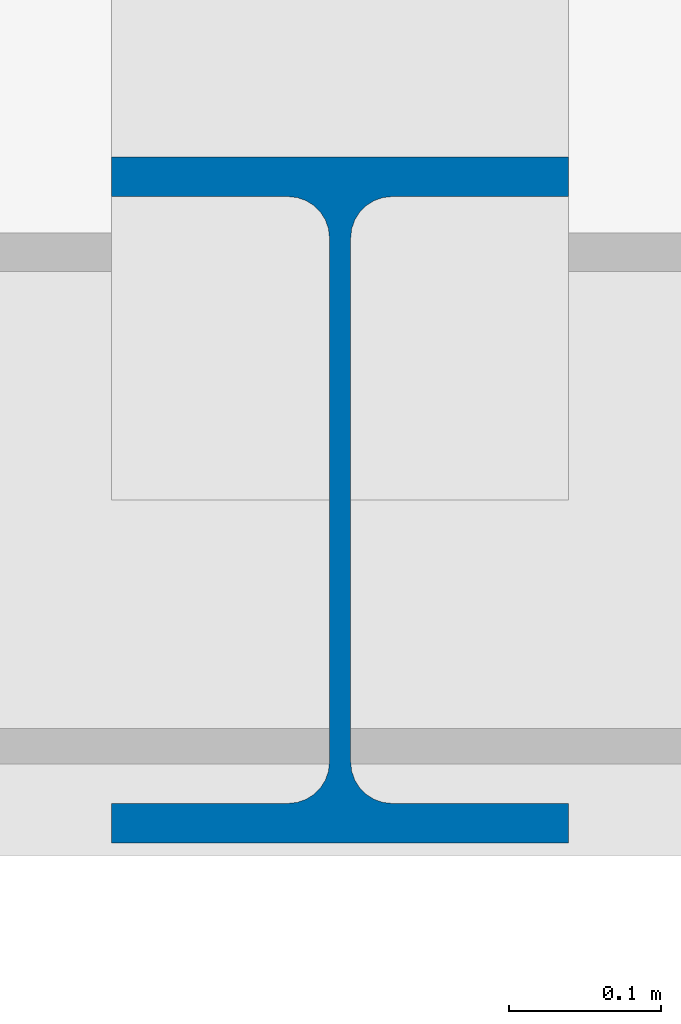
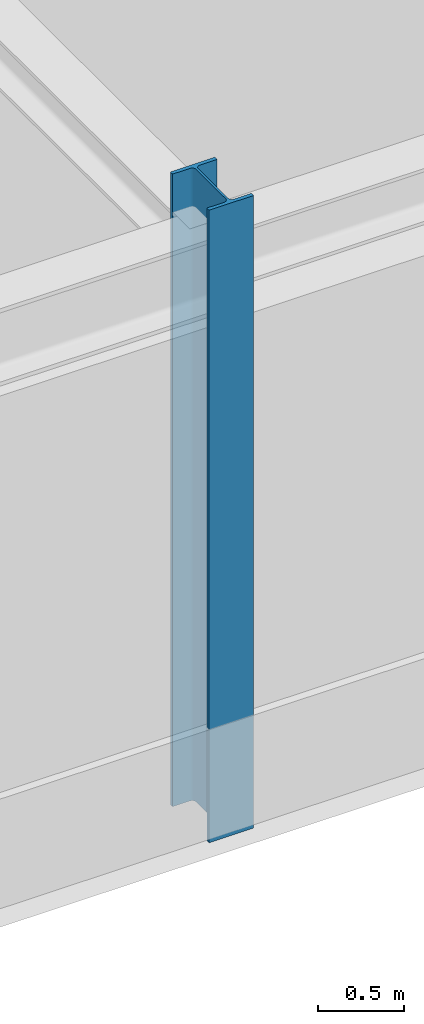
# One storey, part 13 of 64: 1 column.
"""IFC4 building model written with IfcOpenShell, lengths in metres."""

from ifc_helpers import new_model, si_unit, direction, frame, origin, origin_2d, place, context, subcontext, project, spatial, i_section, extrude, material, material_profile, profile_set, type_object, element, save


model = new_model("IFC4")

# Units and contexts
model_context = context("Model", 3, precision=1e-05, world=origin(), true_north=direction((0.0, 1.0)))
body_context = subcontext(model_context, "Body", "Model", "MODEL_VIEW")
ifc_project = project(units=[si_unit("LENGTHUNIT", "METRE"), si_unit("AREAUNIT", "SQUARE_METRE"), si_unit("VOLUMEUNIT", "CUBIC_METRE"), si_unit("PLANEANGLEUNIT", "RADIAN"), si_unit("MASSUNIT", "GRAM", prefix="KILO")], contexts=[model_context])

# Site, building, storey
site_placement = place(None, origin())
site = spatial("IfcSite", under=ifc_project, at=site_placement, CompositionType="ELEMENT")
building_placement = place(site_placement, origin())
building = spatial("IfcBuilding", under=site, at=building_placement, Name="Montealbar Specialist Clinic", CompositionType="ELEMENT")
storey_placement = place(building_placement, frame((0.0, 0.0, 5.10009765625)))
storey = spatial("IfcBuildingStorey", under=building, at=storey_placement, Name="L01", CompositionType="ELEMENT", Elevation=5.10009765625)

# Column
ifc_material = material(Name="Steel S355", Category="steel")
ifc_material_profile = material_profile(ifc_material, i_section(OverallWidth=0.300048828125, OverallDepth=0.449951171875, WebThickness=0.013916015625, FlangeThickness=0.02587890625, FilletRadius=0.027099609375, at=origin_2d()), Name="HEB 450", Category="steel")
ifc_profile_set = profile_set([ifc_material_profile], Name="Steel S355")
column_type = type_object("IfcColumnType", Name="COL-S-L01-STD-EXT", PredefinedType="COLUMN", material=ifc_profile_set)
column_placement = place(storey_placement, frame((120.0, 95.800048828125, 0.0), z_axis=(0.0, 0.0, 1.0), x_axis=(1.0, 0.0, 0.0)))
element("IfcColumn", 1, at=column_placement, inside=storey, type_object=column_type, Name="Column 16/M L01", PredefinedType="COLUMN", context=body_context, shape_type="SweptSolid", body=[
    extrude(i_section(OverallWidth=0.300048828125, OverallDepth=0.449951171875, WebThickness=0.013916015625, FlangeThickness=0.02587890625, FilletRadius=0.027099609375, at=origin_2d()), origin(), (0.0, 0.0, 1.0), 4.5),
])

save(model, "model.ifc")
